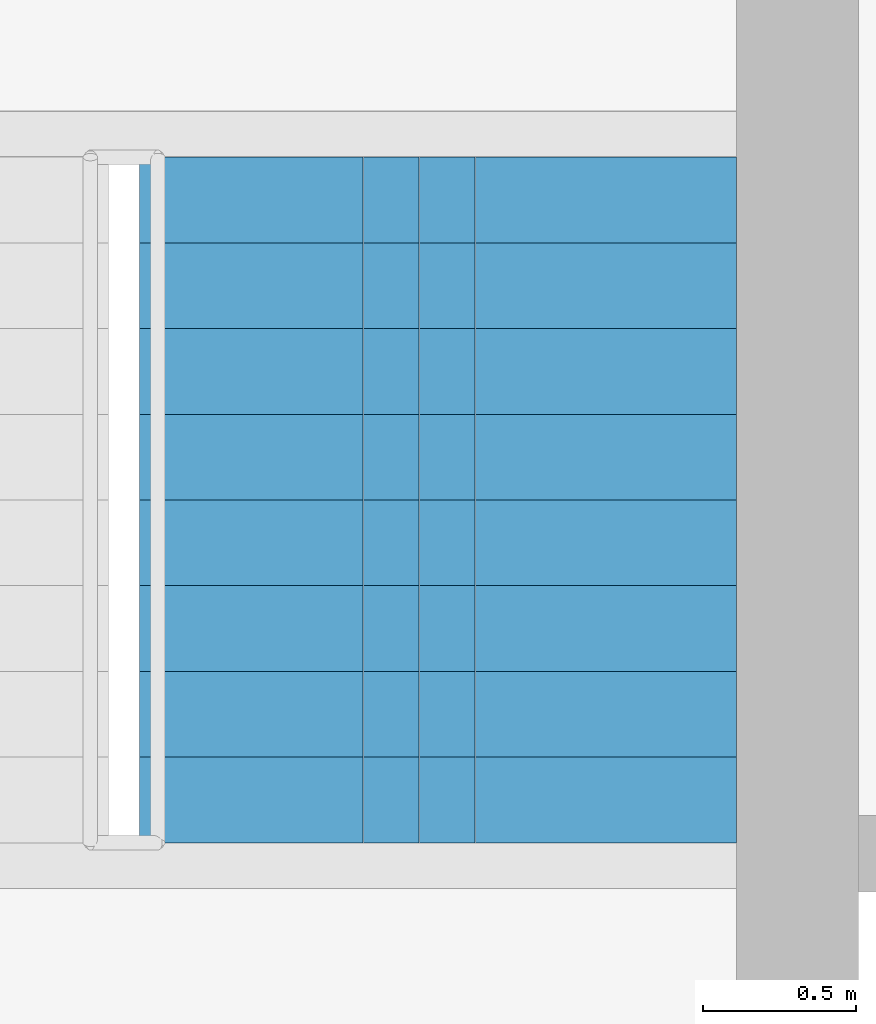
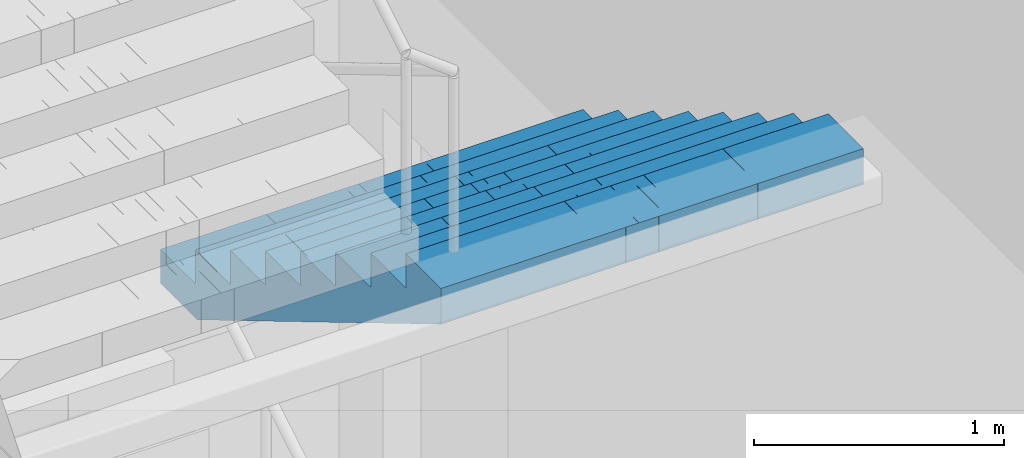
# One storey, part 19 of 20: 1 stair flight, 1 element without a shape of its own.
"""IFC4 building model written with IfcOpenShell, lengths in metres."""

from ifc_helpers import new_model, si_unit, direction, frame, origin, place, context, subcontext, project, spatial, polyline, outline, extrude, material, type_object, element, aggregate, save


model = new_model("IFC4")

# Units and contexts
model_context = context("Model", 3, precision=1e-05, world=origin(), true_north=direction((0.0, 1.0)))
body_context = subcontext(model_context, "Body", "Model", "MODEL_VIEW")
ifc_project = project(units=[si_unit("LENGTHUNIT", "METRE"), si_unit("AREAUNIT", "SQUARE_METRE"), si_unit("VOLUMEUNIT", "CUBIC_METRE"), si_unit("PLANEANGLEUNIT", "RADIAN"), si_unit("MASSUNIT", "GRAM", prefix="KILO")], contexts=[model_context])

# Site, building, storey
site_placement = place(None, origin())
site = spatial("IfcSite", under=ifc_project, at=site_placement, CompositionType="ELEMENT")
building_placement = place(site_placement, origin())
building = spatial("IfcBuilding", under=site, at=building_placement, Name="Mizan Broadcast Tower", CompositionType="ELEMENT")
storey_placement = place(building_placement, frame((0.0, 0.0, 118.199951171875)))
storey = spatial("IfcBuildingStorey", under=building, at=storey_placement, Name="L26", CompositionType="ELEMENT", Elevation=118.199951171875)

# Stair, stair flight
ifc_material_1 = material(Name="Concrete C40/50", Category="concrete")
stair_type = type_object("IfcStairType", Name="EXIT STAIR", PredefinedType="HALF_TURN_STAIR", material=ifc_material_1)
stair_placement = place(storey_placement, origin())
stair = element("IfcStair", 1, at=stair_placement, inside=storey, type_object=stair_type, Name="Stair B L26", PredefinedType="HALF_TURN_STAIR")
ifc_material_2 = material(Name="Concrete C40/50", Category="concrete")
stair_flight_type = type_object("IfcStairFlightType", Name="EXIT STAIR FLIGHT", PredefinedType="STRAIGHT", material=ifc_material_2)
stair_flight_placement = place(storey_placement, frame((1.02490234375, 7.89990234375, 3.0), z_axis=(0.0, 0.0, 1.0), x_axis=(0.0, -1.0, 0.0)))
stair_flight = element("IfcStairFlight", 2, at=stair_flight_placement, type_object=stair_flight_type, Name="B flight 3", NumberOfRisers=9, NumberOfTreads=8, PredefinedType="STRAIGHT", RiserHeight=0.166666667, TreadLength=0.28, context=body_context, shape_type="SweptSolid", body=[
    extrude(outline(polyline([(0.0, 0.0), (0.0, 0.166748046875), (0.280029296875, 0.166748046875), (0.280029296875, 0.333251953125), (0.56005859375, 0.333251953125), (0.56005859375, 0.5), (0.840087890625, 0.5), (0.840087890625, 0.666748046875), (1.1201171875, 0.666748046875), (1.1201171875, 0.833251953125), (1.39990234375, 0.833251953125), (1.39990234375, 1.0), (1.679931640625, 1.0), (1.679931640625, 1.166748046875), (1.9599609375, 1.166748046875), (1.9599609375, 1.333251953125), (2.239990234375, 1.333251953125), (2.239990234375, 1.5), (2.239990234375, 1.158935546875), (0.29296875, 0.0), (0.0, 0.0)])), frame((0.0, 0.97509765625, 0.0), z_axis=(0.0, -1.0, 0.0), x_axis=(1.0, 0.0, 0.0)), (0.0, 0.0, 1.0), 0.4873046875),
    extrude(outline(polyline([(0.0, 0.0), (0.0, 0.166748046875), (0.280029296875, 0.166748046875), (0.280029296875, 0.333251953125), (0.56005859375, 0.333251953125), (0.56005859375, 0.5), (0.840087890625, 0.5), (0.840087890625, 0.666748046875), (1.1201171875, 0.666748046875), (1.1201171875, 0.833251953125), (1.39990234375, 0.833251953125), (1.39990234375, 1.0), (1.679931640625, 1.0), (1.679931640625, 1.166748046875), (1.9599609375, 1.166748046875), (1.9599609375, 1.333251953125), (2.239990234375, 1.333251953125), (2.239990234375, 1.5), (2.239990234375, 1.158935546875), (0.29296875, 0.0), (0.0, 0.0)])), frame((0.0, 0.4873046875, 0.0), z_axis=(0.0, -1.0, 0.0), x_axis=(1.0, 0.0, 0.0)), (0.0, 0.0, 1.0), 0.2431640625),
    extrude(outline(polyline([(0.0, 0.0), (0.0, 0.166748046875), (0.280029296875, 0.166748046875), (0.280029296875, 0.333251953125), (0.56005859375, 0.333251953125), (0.56005859375, 0.5), (0.840087890625, 0.5), (0.840087890625, 0.666748046875), (1.1201171875, 0.666748046875), (1.1201171875, 0.833251953125), (1.39990234375, 0.833251953125), (1.39990234375, 1.0), (1.679931640625, 1.0), (1.679931640625, 1.166748046875), (1.9599609375, 1.166748046875), (1.9599609375, 1.333251953125), (2.239990234375, 1.333251953125), (2.239990234375, 1.5), (2.239990234375, 1.158935546875), (0.29296875, 0.0), (0.0, 0.0)])), frame((0.0, 0.24365234375, 0.0), z_axis=(0.0, -1.0, 0.0), x_axis=(1.0, 0.0, 0.0)), (0.0, 0.0, 1.0), 0.121337890625),
    extrude(outline(polyline([(0.0, 0.0), (0.0, 0.166748046875), (0.280029296875, 0.166748046875), (0.280029296875, 0.333251953125), (0.56005859375, 0.333251953125), (0.56005859375, 0.5), (0.840087890625, 0.5), (0.840087890625, 0.666748046875), (1.1201171875, 0.666748046875), (1.1201171875, 0.833251953125), (1.39990234375, 0.833251953125), (1.39990234375, 1.0), (1.679931640625, 1.0), (1.679931640625, 1.166748046875), (1.9599609375, 1.166748046875), (1.9599609375, 1.333251953125), (2.239990234375, 1.333251953125), (2.239990234375, 1.5), (2.239990234375, 1.158935546875), (0.29296875, 0.0), (0.0, 0.0)])), frame((0.0, 0.121826171875, 0.0), z_axis=(0.0, -1.0, 0.0), x_axis=(1.0, 0.0, 0.0)), (0.0, 0.0, 1.0), 0.060546875),
    extrude(outline(polyline([(0.0, 0.0), (0.0, 0.166748046875), (0.280029296875, 0.166748046875), (0.280029296875, 0.333251953125), (0.56005859375, 0.333251953125), (0.56005859375, 0.5), (0.840087890625, 0.5), (0.840087890625, 0.666748046875), (1.1201171875, 0.666748046875), (1.1201171875, 0.833251953125), (1.39990234375, 0.833251953125), (1.39990234375, 1.0), (1.679931640625, 1.0), (1.679931640625, 1.166748046875), (1.9599609375, 1.166748046875), (1.9599609375, 1.333251953125), (2.239990234375, 1.333251953125), (2.239990234375, 1.5), (2.239990234375, 1.158935546875), (0.29296875, 0.0), (0.0, 0.0)])), frame((0.0, 0.060791015625, 0.0), z_axis=(0.0, -1.0, 0.0), x_axis=(1.0, 0.0, 0.0)), (0.0, 0.0, 1.0), 0.030029296875),
    extrude(outline(polyline([(0.0, 0.0), (0.0, 0.166748046875), (0.280029296875, 0.166748046875), (0.280029296875, 0.333251953125), (0.56005859375, 0.333251953125), (0.56005859375, 0.5), (0.840087890625, 0.5), (0.840087890625, 0.666748046875), (1.1201171875, 0.666748046875), (1.1201171875, 0.833251953125), (1.39990234375, 0.833251953125), (1.39990234375, 1.0), (1.679931640625, 1.0), (1.679931640625, 1.166748046875), (1.9599609375, 1.166748046875), (1.9599609375, 1.333251953125), (2.239990234375, 1.333251953125), (2.239990234375, 1.5), (2.239990234375, 1.158935546875), (0.29296875, 0.0), (0.0, 0.0)])), frame((0.0, 0.0302734375, 0.0), z_axis=(0.0, -1.0, 0.0), x_axis=(1.0, 0.0, 0.0)), (0.0, 0.0, 1.0), 0.060302734375),
    extrude(outline(polyline([(0.0, 0.0), (0.0, 0.166748046875), (0.280029296875, 0.166748046875), (0.280029296875, 0.333251953125), (0.56005859375, 0.333251953125), (0.56005859375, 0.5), (0.840087890625, 0.5), (0.840087890625, 0.666748046875), (1.1201171875, 0.666748046875), (1.1201171875, 0.833251953125), (1.39990234375, 0.833251953125), (1.39990234375, 1.0), (1.679931640625, 1.0), (1.679931640625, 1.166748046875), (1.9599609375, 1.166748046875), (1.9599609375, 1.333251953125), (2.239990234375, 1.333251953125), (2.239990234375, 1.5), (2.239990234375, 1.158935546875), (0.29296875, 0.0), (0.0, 0.0)])), frame((0.0, -0.030517578125, 0.0), z_axis=(0.0, -1.0, 0.0), x_axis=(1.0, 0.0, 0.0)), (0.0, 0.0, 1.0), 0.030029296875),
    extrude(outline(polyline([(0.0, 0.0), (0.0, 0.166748046875), (0.280029296875, 0.166748046875), (0.280029296875, 0.333251953125), (0.56005859375, 0.333251953125), (0.56005859375, 0.5), (0.840087890625, 0.5), (0.840087890625, 0.666748046875), (1.1201171875, 0.666748046875), (1.1201171875, 0.833251953125), (1.39990234375, 0.833251953125), (1.39990234375, 1.0), (1.679931640625, 1.0), (1.679931640625, 1.166748046875), (1.9599609375, 1.166748046875), (1.9599609375, 1.333251953125), (2.239990234375, 1.333251953125), (2.239990234375, 1.5), (2.239990234375, 1.158935546875), (0.29296875, 0.0), (0.0, 0.0)])), frame((0.0, -0.06103515625, 0.0), z_axis=(0.0, -1.0, 0.0), x_axis=(1.0, 0.0, 0.0)), (0.0, 0.0, 1.0), 0.060546875),
    extrude(outline(polyline([(0.0, 0.0), (0.0, 0.166748046875), (0.280029296875, 0.166748046875), (0.280029296875, 0.333251953125), (0.56005859375, 0.333251953125), (0.56005859375, 0.5), (0.840087890625, 0.5), (0.840087890625, 0.666748046875), (1.1201171875, 0.666748046875), (1.1201171875, 0.833251953125), (1.39990234375, 0.833251953125), (1.39990234375, 1.0), (1.679931640625, 1.0), (1.679931640625, 1.166748046875), (1.9599609375, 1.166748046875), (1.9599609375, 1.333251953125), (2.239990234375, 1.333251953125), (2.239990234375, 1.5), (2.239990234375, 1.158935546875), (0.29296875, 0.0), (0.0, 0.0)])), frame((0.0, -0.1220703125, 0.0), z_axis=(0.0, -1.0, 0.0), x_axis=(1.0, 0.0, 0.0)), (0.0, 0.0, 1.0), 0.121337890625),
    extrude(outline(polyline([(0.0, 0.0), (0.0, 0.166748046875), (0.280029296875, 0.166748046875), (0.280029296875, 0.333251953125), (0.56005859375, 0.333251953125), (0.56005859375, 0.5), (0.840087890625, 0.5), (0.840087890625, 0.666748046875), (1.1201171875, 0.666748046875), (1.1201171875, 0.833251953125), (1.39990234375, 0.833251953125), (1.39990234375, 1.0), (1.679931640625, 1.0), (1.679931640625, 1.166748046875), (1.9599609375, 1.166748046875), (1.9599609375, 1.333251953125), (2.239990234375, 1.333251953125), (2.239990234375, 1.5), (2.239990234375, 1.158935546875), (0.29296875, 0.0), (0.0, 0.0)])), frame((0.0, -0.243896484375, 0.0), z_axis=(0.0, -1.0, 0.0), x_axis=(1.0, 0.0, 0.0)), (0.0, 0.0, 1.0), 0.2431640625),
    extrude(outline(polyline([(0.0, 0.0), (0.0, 0.166748046875), (0.280029296875, 0.166748046875), (0.280029296875, 0.333251953125), (0.56005859375, 0.333251953125), (0.56005859375, 0.5), (0.840087890625, 0.5), (0.840087890625, 0.666748046875), (1.1201171875, 0.666748046875), (1.1201171875, 0.833251953125), (1.39990234375, 0.833251953125), (1.39990234375, 1.0), (1.679931640625, 1.0), (1.679931640625, 1.166748046875), (1.9599609375, 1.166748046875), (1.9599609375, 1.333251953125), (2.239990234375, 1.333251953125), (2.239990234375, 1.5), (2.239990234375, 1.158935546875), (0.29296875, 0.0), (0.0, 0.0)])), frame((0.0, -0.487548828125, 0.0), z_axis=(0.0, -1.0, 0.0), x_axis=(1.0, 0.0, 0.0)), (0.0, 0.0, 1.0), 0.4873046875),
])
aggregate(stair, [stair_flight])

save(model, "model.ifc")
